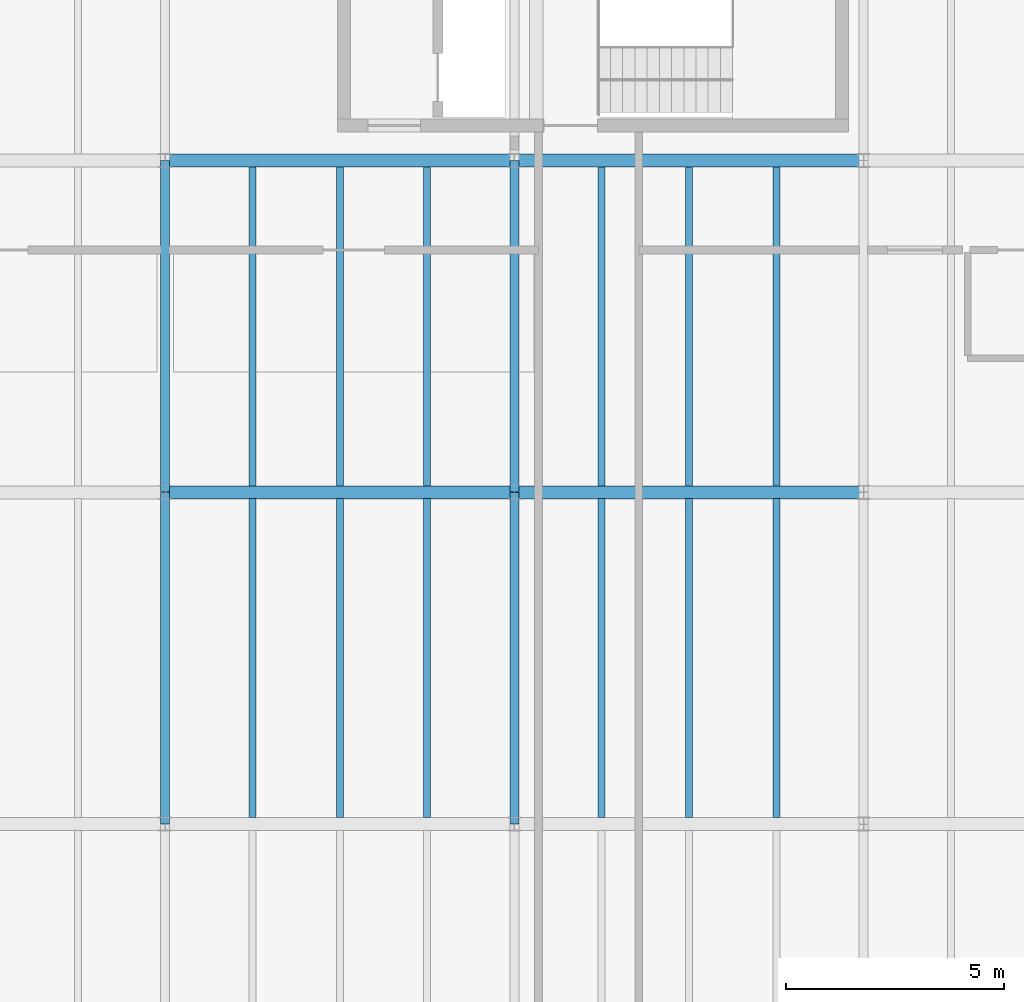
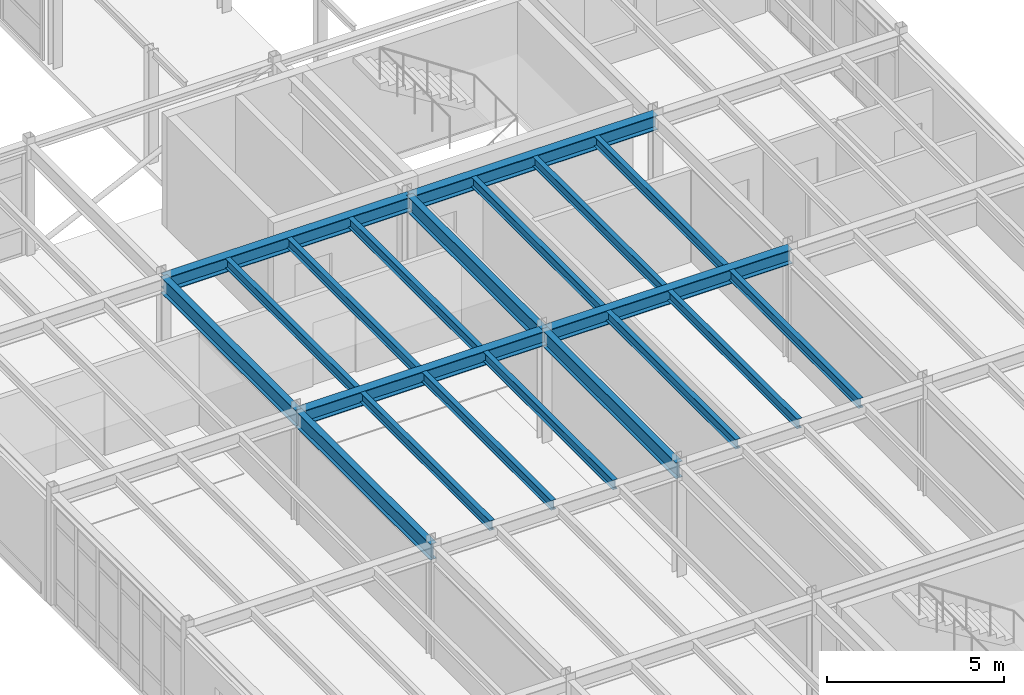
# One storey, part 117 of 189: 20 beams.
"""IFC4 building model written with IfcOpenShell, lengths in metres."""

from ifc_helpers import new_model, si_unit, direction, frame, origin, origin_2d, place, context, subcontext, project, spatial, i_section, extrude, material, material_profile, profile_set, type_object, element, save


model = new_model("IFC4")

# Units and contexts
model_context = context("Model", 3, precision=1e-05, world=origin(), true_north=direction((0.0, 1.0)))
body_context = subcontext(model_context, "Body", "Model", "MODEL_VIEW")
ifc_project = project(units=[si_unit("LENGTHUNIT", "METRE"), si_unit("AREAUNIT", "SQUARE_METRE"), si_unit("VOLUMEUNIT", "CUBIC_METRE"), si_unit("PLANEANGLEUNIT", "RADIAN"), si_unit("MASSUNIT", "GRAM", prefix="KILO")], contexts=[model_context])

# Site, building, storey
site_placement = place(None, origin())
site = spatial("IfcSite", under=ifc_project, at=site_placement, CompositionType="ELEMENT")
building_placement = place(site_placement, origin())
building = spatial("IfcBuilding", under=site, at=building_placement, Name="Montecoro Central Library", CompositionType="ELEMENT")
storey_placement = place(building_placement, frame((0.0, 0.0, 9.179931640625)))
storey = spatial("IfcBuildingStorey", under=building, at=storey_placement, Name="L02", CompositionType="ELEMENT", Elevation=9.179931640625)

# Beams
ifc_material_1 = material(Name="Steel S355J2", Category="steel")
ifc_material_profile_1 = material_profile(ifc_material_1, i_section(OverallWidth=0.300048828125, OverallDepth=0.489990234375, WebThickness=0.011962890625, FlangeThickness=0.02294921875, at=origin_2d()), Name="HEA 500")
ifc_profile_set_1 = profile_set([ifc_material_profile_1], Name="Steel S355J2")
beam_type_1 = type_object("IfcBeamType", Name="BM-G-HEA500", PredefinedType="USERDEFINED", material=ifc_profile_set_1)
for number, where, z_axis, x_axis, name in (
    (1, (149.0048828125, 27.800048828125, 3.580078125), (1.0, 0.0, 0.0), (0.0, 1.0, 0.0), "V6-L02-BX-1920-D"),
    (2, (157.0048828125, 27.800048828125, 3.580078125), (1.0, 0.0, 0.0), (0.0, 1.0, 0.0), "V6-L02-BX-2021-D"),
    (3, (149.0048828125, 35.39990234375, 3.580078125), (1.0, 0.0, 0.0), (0.0, 1.0, 0.0), "V6-L02-BX-1920-E"),
    (4, (157.0048828125, 35.39990234375, 3.580078125), (1.0, 0.0, 0.0), (0.0, 1.0, 0.0), "V6-L02-BX-2021-E"),
):
    element("IfcBeam", number, at=place(storey_placement, frame(where, z_axis=z_axis, x_axis=x_axis)), inside=storey, type_object=beam_type_1, Name=name, ObjectType="GIRDER", PredefinedType="USERDEFINED", context=body_context, shape_type="SweptSolid", body=[
        extrude(i_section(OverallWidth=0.300048828125, OverallDepth=0.489990234375, WebThickness=0.011962890625, FlangeThickness=0.02294921875, at=origin_2d()), origin(), (0.0, 0.0, 1.0), 7.990234375),
    ])
ifc_material_profile_2 = material_profile(ifc_material_1, i_section(OverallWidth=0.2099609375, OverallDepth=0.550048828125, WebThickness=0.010986328125, FlangeThickness=0.01708984375, at=origin_2d()), Name="IPE 550")
ifc_profile_set_2 = profile_set([ifc_material_profile_2], Name="Steel S355J2")
beam_type_2 = type_object("IfcBeamType", Name="BM-G-IPE550", PredefinedType="USERDEFINED", material=ifc_profile_set_2)
beam_1_placement = place(storey_placement, frame((149.0, 20.205078125, 3.550048828125), z_axis=(0.0, 1.0, 0.0), x_axis=(-1.0, 0.0, 0.0)))
element("IfcBeam", 5, at=beam_1_placement, inside=storey, type_object=beam_type_2, Name="V6-L02-BY-19-CD", ObjectType="GIRDER", PredefinedType="USERDEFINED", context=body_context, shape_type="SweptSolid", body=[
    extrude(i_section(OverallWidth=0.2099609375, OverallDepth=0.550048828125, WebThickness=0.010986328125, FlangeThickness=0.01708984375, at=origin_2d()), origin(), (0.0, 0.0, 1.0), 7.58984375),
])
beam_2_placement = place(storey_placement, frame((149.0, 27.804931640625, 3.550048828125), z_axis=(0.0, 1.0, 0.0), x_axis=(-1.0, 0.0, 0.0)))
element("IfcBeam", 6, at=beam_2_placement, inside=storey, type_object=beam_type_2, Name="V6-L02-BY-19-DE", ObjectType="GIRDER", PredefinedType="USERDEFINED", context=body_context, shape_type="SweptSolid", body=[
    extrude(i_section(OverallWidth=0.2099609375, OverallDepth=0.550048828125, WebThickness=0.010986328125, FlangeThickness=0.01708984375, at=origin_2d()), origin(), (0.0, 0.0, 1.0), 7.590087890625),
])
beam_3_placement = place(storey_placement, frame((157.0, 20.205078125, 3.550048828125), z_axis=(0.0, 1.0, 0.0), x_axis=(-1.0, 0.0, 0.0)))
element("IfcBeam", 7, at=beam_3_placement, inside=storey, type_object=beam_type_2, Name="V6-L02-BY-20-CD", ObjectType="GIRDER", PredefinedType="USERDEFINED", context=body_context, shape_type="SweptSolid", body=[
    extrude(i_section(OverallWidth=0.2099609375, OverallDepth=0.550048828125, WebThickness=0.010986328125, FlangeThickness=0.01708984375, at=origin_2d()), origin(), (0.0, 0.0, 1.0), 7.58984375),
])
beam_4_placement = place(storey_placement, frame((157.0, 27.804931640625, 3.550048828125), z_axis=(0.0, 1.0, 0.0), x_axis=(-1.0, 0.0, 0.0)))
element("IfcBeam", 8, at=beam_4_placement, inside=storey, type_object=beam_type_2, Name="V6-L02-BY-20-DE", ObjectType="GIRDER", PredefinedType="USERDEFINED", context=body_context, shape_type="SweptSolid", body=[
    extrude(i_section(OverallWidth=0.2099609375, OverallDepth=0.550048828125, WebThickness=0.010986328125, FlangeThickness=0.01708984375, at=origin_2d()), origin(), (0.0, 0.0, 1.0), 7.590087890625),
])
ifc_material_2 = material(Name="Steel S355", Category="steel")
ifc_material_profile_3 = material_profile(ifc_material_2, i_section(OverallWidth=0.159912109375, OverallDepth=0.330078125, WebThickness=0.007568359375, FlangeThickness=0.011474609375, at=origin_2d()), Name="IPE 330")
ifc_profile_set_3 = profile_set([ifc_material_profile_3], Name="Steel S355")
beam_type_3 = type_object("IfcBeamType", Name="BM-J-IPE330", PredefinedType="JOIST", material=ifc_profile_set_3)
for number, where, z_axis, x_axis, name in (
    (9, (151.0, 20.346923828125, 3.66015625), (0.0, 1.0, 0.0), (-1.0, 0.0, 0.0), "V6-L02-JS-1920-CD-1"),
    (10, (153.0, 20.346923828125, 3.66015625), (0.0, 1.0, 0.0), (-1.0, 0.0, 0.0), "V6-L02-JS-1920-CD-2"),
    (11, (155.0, 20.346923828125, 3.66015625), (0.0, 1.0, 0.0), (-1.0, 0.0, 0.0), "V6-L02-JS-1920-CD-3"),
):
    element("IfcBeam", number, at=place(storey_placement, frame(where, z_axis=z_axis, x_axis=x_axis)), inside=storey, type_object=beam_type_3, Name=name, PredefinedType="JOIST", context=body_context, shape_type="SweptSolid", body=[
        extrude(i_section(OverallWidth=0.159912109375, OverallDepth=0.330078125, WebThickness=0.007568359375, FlangeThickness=0.011474609375, at=origin_2d()), origin(), (0.0, 0.0, 1.0), 7.30615234375),
    ])
for number, where, z_axis, x_axis, name in (
    (12, (151.0, 27.947021484375, 3.66015625), (0.0, 1.0, 0.0), (-1.0, 0.0, 0.0), "V6-L02-JS-1920-DE-1"),
    (13, (153.0, 27.947021484375, 3.66015625), (0.0, 1.0, 0.0), (-1.0, 0.0, 0.0), "V6-L02-JS-1920-DE-2"),
    (14, (155.0, 27.947021484375, 3.66015625), (0.0, 1.0, 0.0), (-1.0, 0.0, 0.0), "V6-L02-JS-1920-DE-3"),
):
    element("IfcBeam", number, at=place(storey_placement, frame(where, z_axis=z_axis, x_axis=x_axis)), inside=storey, type_object=beam_type_3, Name=name, PredefinedType="JOIST", context=body_context, shape_type="SweptSolid", body=[
        extrude(i_section(OverallWidth=0.159912109375, OverallDepth=0.330078125, WebThickness=0.007568359375, FlangeThickness=0.011474609375, at=origin_2d()), origin(), (0.0, 0.0, 1.0), 7.305908203125),
    ])
for number, where, z_axis, x_axis, name in (
    (15, (159.0, 20.346923828125, 3.66015625), (0.0, 1.0, 0.0), (-1.0, 0.0, 0.0), "V6-L02-JS-2021-CD-1"),
    (16, (161.0, 20.346923828125, 3.66015625), (0.0, 1.0, 0.0), (-1.0, 0.0, 0.0), "V6-L02-JS-2021-CD-2"),
    (17, (163.0, 20.346923828125, 3.66015625), (0.0, 1.0, 0.0), (-1.0, 0.0, 0.0), "V6-L02-JS-2021-CD-3"),
):
    element("IfcBeam", number, at=place(storey_placement, frame(where, z_axis=z_axis, x_axis=x_axis)), inside=storey, type_object=beam_type_3, Name=name, PredefinedType="JOIST", context=body_context, shape_type="SweptSolid", body=[
        extrude(i_section(OverallWidth=0.159912109375, OverallDepth=0.330078125, WebThickness=0.007568359375, FlangeThickness=0.011474609375, at=origin_2d()), origin(), (0.0, 0.0, 1.0), 7.30615234375),
    ])
for number, where, z_axis, x_axis, name in (
    (18, (159.0, 27.947021484375, 3.66015625), (0.0, 1.0, 0.0), (-1.0, 0.0, 0.0), "V6-L02-JS-2021-DE-1"),
    (19, (161.0, 27.947021484375, 3.66015625), (0.0, 1.0, 0.0), (-1.0, 0.0, 0.0), "V6-L02-JS-2021-DE-2"),
    (20, (163.0, 27.947021484375, 3.66015625), (0.0, 1.0, 0.0), (-1.0, 0.0, 0.0), "V6-L02-JS-2021-DE-3"),
):
    element("IfcBeam", number, at=place(storey_placement, frame(where, z_axis=z_axis, x_axis=x_axis)), inside=storey, type_object=beam_type_3, Name=name, PredefinedType="JOIST", context=body_context, shape_type="SweptSolid", body=[
        extrude(i_section(OverallWidth=0.159912109375, OverallDepth=0.330078125, WebThickness=0.007568359375, FlangeThickness=0.011474609375, at=origin_2d()), origin(), (0.0, 0.0, 1.0), 7.305908203125),
    ])

save(model, "model.ifc")
